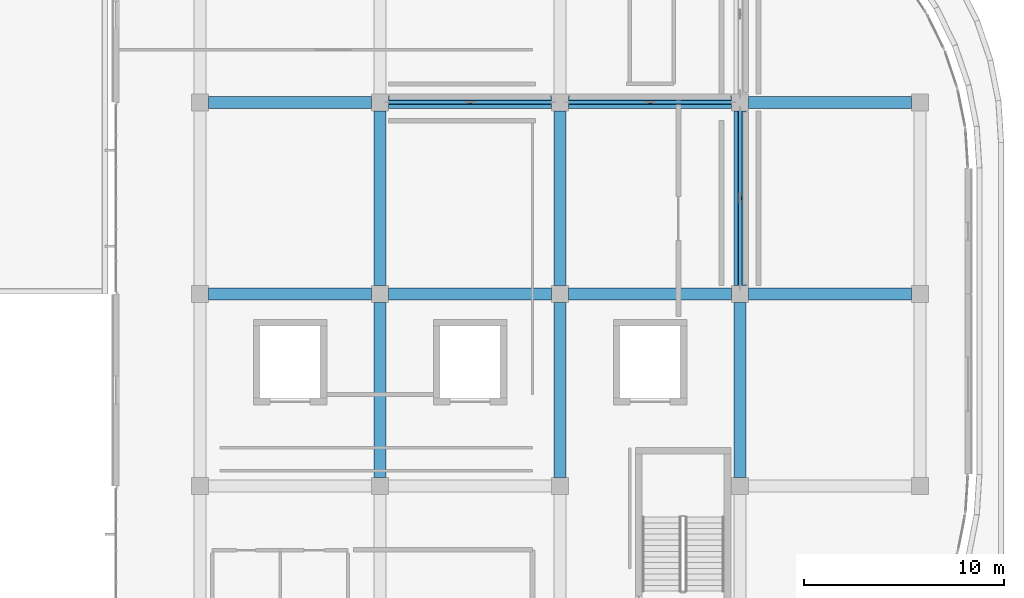
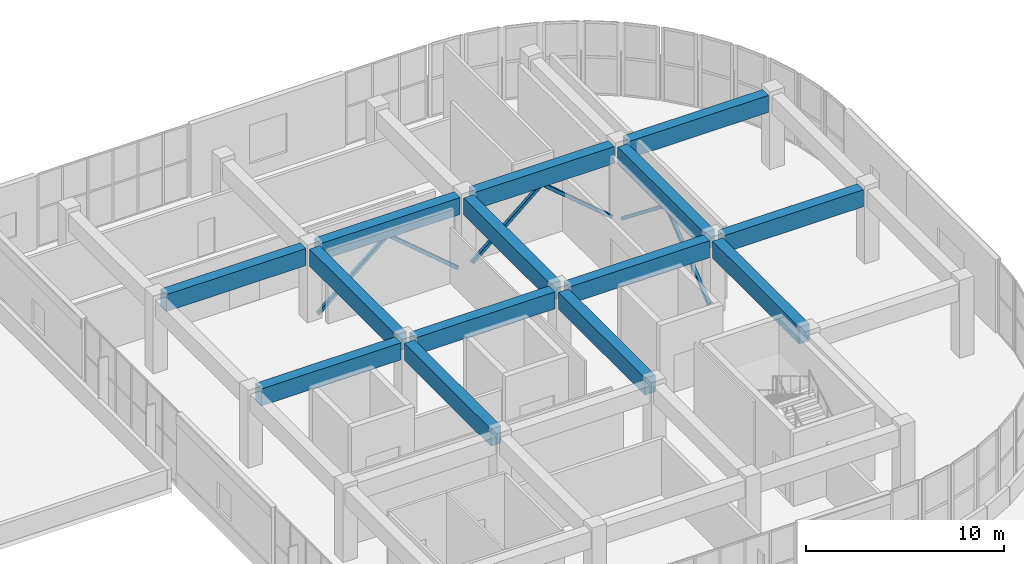
# One storey, part 22 of 67: 14 beams, 6 members.
"""IFC4 building model written with IfcOpenShell, lengths in metres."""

import ifcopenshell
import ifcopenshell.guid

model = None  # the IFC model being written
_history = None  # IfcOwnerHistory: only IFC2X3 demands one
_inside = {}  # id of a spatial element -> (the spatial element, [elements in it])
_under = {}  # id of a project, library or spatial element -> (it, [spatial elements below it])
_declared = {}  # id of a project -> (the project, [libraries it declares])
_typed = {}  # id of a type object -> (the type object, [elements of that type])
_made_of = {}  # id of a material, layer set ... -> (it, [elements and type objects made of it])


def new_model(schema):
    """Start an empty IFC model of exactly this schema.

    Asked for "IFC4X3", IfcOpenShell would pick the latest addendum, in which some entities
    have other attributes; the version numbers below select the first issue.
    IFC2X3 requires an IfcOwnerHistory on every rooted entity: one is made here for all.
    """
    global model, _history
    if schema == "IFC4X3":
        model = ifcopenshell.file(schema_version=(4, 3, 0, 0))
    else:
        model = ifcopenshell.file(schema=schema)
    _inside.clear()
    _under.clear()
    _declared.clear()
    _typed.clear()
    _made_of.clear()
    _history = None
    if model.schema == "IFC2X3":
        org = make("IfcOrganization", Name="unknown")
        user = make(
            "IfcPersonAndOrganization",
            ThePerson=make("IfcPerson", FamilyName="unknown"),
            TheOrganization=org,
        )
        app = make(
            "IfcApplication",
            ApplicationDeveloper=org,
            Version="unknown",
            ApplicationFullName="unknown",
            ApplicationIdentifier="unknown",
        )
        _history = make(
            "IfcOwnerHistory",
            OwningUser=user,
            OwningApplication=app,
            ChangeAction="ADDED",
            CreationDate=0,
        )
    return model


def make(cls, **values):
    """One entity of the class cls with the attributes given. An attribute that is None is left unset."""
    return model.create_entity(
        cls, **{name: value for name, value in values.items() if value is not None}
    )


def rooted(cls, **values):
    """An entity with a GlobalId (a new one), such as an element, a storey or a relation."""
    return make(cls, GlobalId=ifcopenshell.guid.new(), OwnerHistory=_history, **values)


def si_unit(unit_type, name, prefix=None):
    """IfcSIUnit, for example si_unit("LENGTHUNIT", "METRE", prefix="MILLI")."""
    return make("IfcSIUnit", UnitType=unit_type, Prefix=prefix, Name=name)


def assignment(units):
    """IfcUnitAssignment: the units of a project."""
    return None if units is None else make("IfcUnitAssignment", Units=units)


def point(xyz):
    """IfcCartesianPoint."""
    return None if xyz is None else make("IfcCartesianPoint", Coordinates=xyz)


def direction(xyz):
    """IfcDirection."""
    return None if xyz is None else make("IfcDirection", DirectionRatios=xyz)


def frame(location, z_axis=None, x_axis=None):
    """IfcAxis2Placement3D, a coordinate frame: its origin and axes. An axis left out is left unset."""
    return make(
        "IfcAxis2Placement3D",
        Location=point(location),
        Axis=direction(z_axis),
        RefDirection=direction(x_axis),
    )


def frame_2d(location, x_axis=None):
    """IfcAxis2Placement2D, a coordinate frame in the plane: its origin and x axis."""
    return make(
        "IfcAxis2Placement2D", Location=point(location), RefDirection=direction(x_axis)
    )


def origin():
    """The frame at (0, 0, 0) with its axes left unset."""
    return frame((0.0, 0.0, 0.0))


def origin_2d():
    """The frame at (0, 0) in the plane with its x axis left unset."""
    return frame_2d((0.0, 0.0))


def place(relative_to, where):
    """IfcLocalPlacement: puts the frame where relative to a parent placement (None: the world)."""
    return make(
        "IfcLocalPlacement", PlacementRelTo=relative_to, RelativePlacement=where
    )


def context(
    kind, dimensions, precision=None, world=None, true_north=None, identifier=None
):
    """IfcGeometricRepresentationContext, for example the 3D "Model" context."""
    return make(
        "IfcGeometricRepresentationContext",
        ContextIdentifier=identifier,
        ContextType=kind,
        CoordinateSpaceDimension=dimensions,
        Precision=precision,
        WorldCoordinateSystem=world,
        TrueNorth=true_north,
    )


def subcontext(parent, identifier, kind, view, scale=None):
    """IfcGeometricRepresentationSubContext, for example "Body" below "Model"."""
    return make(
        "IfcGeometricRepresentationSubContext",
        ContextIdentifier=identifier,
        ContextType=kind,
        ParentContext=parent,
        TargetScale=scale,
        TargetView=view,
    )


def project(units=None, contexts=None):
    """IfcProject with its units and contexts."""
    return rooted(
        "IfcProject",
        Name="project",
        RepresentationContexts=contexts,
        UnitsInContext=assignment(units),
    )


def spatial(cls, under=None, at=None, **own):
    """A site, building, storey or space (cls), placed at a placement, below another one or the project."""
    s = rooted(cls, ObjectPlacement=at, **own)
    if under is not None:
        _under.setdefault(under.id(), (under, []))[1].append(s)
    return s


def profile(cls, at=None, kind="AREA", **sizes):
    """A parametric profile (cls). Its sizes go by their IFC names, for example OverallWidth=200.0."""
    return make(cls, ProfileType=kind, Position=at, **sizes)


def rectangle(**sizes):
    """IfcRectangleProfileDef."""
    return profile("IfcRectangleProfileDef", **sizes)


def hollow_rectangle(**sizes):
    """IfcRectangleHollowProfileDef."""
    return profile("IfcRectangleHollowProfileDef", **sizes)


def extrude(swept, where, along, depth):
    """IfcExtrudedAreaSolid: the profile swept, set in the frame where, extruded along a direction by depth."""
    return make(
        "IfcExtrudedAreaSolid",
        SweptArea=swept,
        Position=where,
        ExtrudedDirection=direction(along),
        Depth=depth,
    )


def shape(context_of_items, identifier, shape_type, items):
    """IfcShapeRepresentation: the items that make up one representation, for example the "Body"."""
    return make(
        "IfcShapeRepresentation",
        ContextOfItems=context_of_items,
        RepresentationIdentifier=identifier,
        RepresentationType=shape_type,
        Items=items,
    )


def material(Name=None, Category=None):
    """IfcMaterial."""
    return make("IfcMaterial", Name=Name, Category=Category)


def material_profile(
    of_material, cross_section, Name=None, Category=None, Priority=None
):
    """IfcMaterialProfile: a cross section and its material."""
    return make(
        "IfcMaterialProfile",
        Name=Name,
        Material=of_material,
        Profile=cross_section,
        Priority=Priority,
        Category=Category,
    )


def profile_set(profiles, Name=None, composite=None):
    """IfcMaterialProfileSet."""
    return make(
        "IfcMaterialProfileSet",
        Name=Name,
        MaterialProfiles=profiles,
        CompositeProfile=composite,
    )


def made_of(thing, what):
    """Note that an element or type object is made of a material, layer set ...; save() writes the relation."""
    if what is not None:
        _made_of.setdefault(what.id(), (what, []))[1].append(thing)
    return thing


def type_object(cls, material=None, **own):
    """A type object (cls), such as IfcWallType, which elements share."""
    return made_of(rooted(cls, **own), material)


def element(
    cls,
    number,
    at=None,
    inside=None,
    cuts=None,
    type_object=None,
    material=None,
    context=None,
    identifier="Body",
    shape_type=None,
    held_by="IfcProductDefinitionShape",
    body=None,
    shapes=None,
    **own,
):
    """One element of the class cls, such as IfcWall. Its Tag is "e" and its number.

    at: its placement. inside: the storey or other place that contains it. cuts: it is an
    opening in that element (IfcRelVoidsElement). A single representation is given by context,
    identifier, shape_type and body (its items); several are given by shapes. held_by: the class
    of the entity that holds the representations. save() writes the other relations.
    """
    e = rooted(cls, Tag="e%d" % number, ObjectPlacement=at, **own)
    if body is not None:
        shapes = [shape(context, identifier, shape_type, body)]
    if shapes is not None:
        e.Representation = make(held_by, Representations=shapes)
    if inside is not None:
        _inside.setdefault(inside.id(), (inside, []))[1].append(e)
    if cuts is not None:
        rooted(
            "IfcRelVoidsElement", RelatingBuildingElement=cuts, RelatedOpeningElement=e
        )
    if type_object is not None:
        _typed.setdefault(type_object.id(), (type_object, []))[1].append(e)
    return made_of(e, material)


def aggregate(whole, parts):
    """IfcRelAggregates: a whole, such as a stair, and the parts it consists of."""
    return rooted("IfcRelAggregates", RelatingObject=whole, RelatedObjects=parts)


def save(model, path):
    """Write the relations noted so far, then the file.

    IfcRelAggregates (storeys below a building ...), IfcRelContainedInSpatialStructure (elements
    in a storey), IfcRelDefinesByType, IfcRelAssociatesMaterial and IfcRelDeclares: one each for
    every whole, place, type object, material and project.
    """
    for whole, parts in _under.values():
        aggregate(whole, parts)
    for where, things in _inside.values():
        rooted(
            "IfcRelContainedInSpatialStructure",
            RelatedElements=things,
            RelatingStructure=where,
        )
    for kind, things in _typed.values():
        rooted("IfcRelDefinesByType", RelatedObjects=things, RelatingType=kind)
    for what, things in _made_of.values():
        rooted("IfcRelAssociatesMaterial", RelatedObjects=things, RelatingMaterial=what)
    for by, libraries in _declared.values():
        rooted("IfcRelDeclares", RelatingContext=by, RelatedDefinitions=libraries)
    model.write(path)


model = new_model("IFC4")

# Units and contexts
model_context = context("Model", 3, precision=1e-05, world=origin(), true_north=direction((0.0, 1.0)))
body_context = subcontext(model_context, "Body", "Model", "MODEL_VIEW")
ifc_project = project(units=[si_unit("LENGTHUNIT", "METRE"), si_unit("AREAUNIT", "SQUARE_METRE"), si_unit("VOLUMEUNIT", "CUBIC_METRE"), si_unit("PLANEANGLEUNIT", "RADIAN"), si_unit("MASSUNIT", "GRAM", prefix="KILO")], contexts=[model_context])

# Site, building, storey
site_placement = place(None, origin())
site = spatial("IfcSite", under=ifc_project, at=site_placement, CompositionType="ELEMENT")
building_placement = place(site_placement, origin())
building = spatial("IfcBuilding", under=site, at=building_placement, Name="Cendralis Terraced Arcade", CompositionType="ELEMENT")
storey_placement = place(building_placement, frame((0.0, 0.0, 15.0)))
storey = spatial("IfcBuildingStorey", under=building, at=storey_placement, Name="L03", CompositionType="ELEMENT", Elevation=15.0)

# Beams
ifc_material_1 = material(Name="Concrete f'c 35 MPa", Category="concrete")
ifc_material_profile_1 = material_profile(ifc_material_1, rectangle(XDim=0.60009765625, YDim=1.050048828125, at=origin_2d()), Name="RC-BM-600x1050", Category="LoadBearing")
ifc_profile_set_1 = profile_set([ifc_material_profile_1], Name="Concrete f'c 35 MPa")
beam_type = type_object("IfcBeamType", Name="BM-600x1050", PredefinedType="JOIST", material=ifc_profile_set_1)
for number, where, z_axis, x_axis, name in (
    (1, (130.625, 88.800048828125, 3.9951171875), (1.0, 0.0, 0.0), (0.0, 1.0, 0.0), "Reinforced Concrete Frame Beam BM-X-L04-K-15_16"),
    (2, (139.625, 88.800048828125, 3.9951171875), (1.0, 0.0, 0.0), (0.0, 1.0, 0.0), "Reinforced Concrete Frame Beam BM-X-L04-K-16_17"),
    (3, (148.625, 88.800048828125, 3.9951171875), (1.0, 0.0, 0.0), (0.0, 1.0, 0.0), "Reinforced Concrete Frame Beam BM-X-L04-K-17_18"),
    (4, (157.625, 88.800048828125, 3.9951171875), (1.0, 0.0, 0.0), (0.0, 1.0, 0.0), "Reinforced Concrete Frame Beam BM-X-L04-K-18_19"),
    (5, (130.625, 98.39990234375, 3.9951171875), (1.0, 0.0, 0.0), (0.0, 1.0, 0.0), "Reinforced Concrete Frame Beam BM-X-L04-L-15_16"),
    (6, (139.625, 98.39990234375, 3.9951171875), (1.0, 0.0, 0.0), (0.0, 1.0, 0.0), "Reinforced Concrete Frame Beam BM-X-L04-L-16_17"),
    (7, (148.625, 98.39990234375, 3.9951171875), (1.0, 0.0, 0.0), (0.0, 1.0, 0.0), "Reinforced Concrete Frame Beam BM-X-L04-L-17_18"),
    (8, (157.625, 98.39990234375, 3.9951171875), (1.0, 0.0, 0.0), (0.0, 1.0, 0.0), "Reinforced Concrete Frame Beam BM-X-L04-L-18_19"),
):
    element("IfcBeam", number, at=place(storey_placement, frame(where, z_axis=z_axis, x_axis=x_axis)), inside=storey, type_object=beam_type, Name=name, PredefinedType="JOIST", context=body_context, shape_type="SweptSolid", body=[
        extrude(rectangle(XDim=0.60009765625, YDim=1.050048828125, at=origin_2d()), origin(), (0.0, 0.0, 1.0), 8.14990234375),
    ])
for number, where, z_axis, x_axis, name in (
    (9, (139.199951171875, 79.625, 3.9951171875), (0.0, 1.0, 0.0), (-1.0, 0.0, 0.0), "Reinforced Concrete Frame Beam BM-Y-L04-16-J_K"),
    (10, (139.199951171875, 89.22509765625, 3.9951171875), (0.0, 1.0, 0.0), (-1.0, 0.0, 0.0), "Reinforced Concrete Frame Beam BM-Y-L04-16-K_L"),
    (11, (148.199951171875, 79.625, 3.9951171875), (0.0, 1.0, 0.0), (-1.0, 0.0, 0.0), "Reinforced Concrete Frame Beam BM-Y-L04-17-J_K"),
    (12, (148.199951171875, 89.22509765625, 3.9951171875), (0.0, 1.0, 0.0), (-1.0, 0.0, 0.0), "Reinforced Concrete Frame Beam BM-Y-L04-17-K_L"),
    (13, (157.199951171875, 79.625, 3.9951171875), (0.0, 1.0, 0.0), (-1.0, 0.0, 0.0), "Reinforced Concrete Frame Beam BM-Y-L04-18-J_K"),
    (14, (157.199951171875, 89.22509765625, 3.9951171875), (0.0, 1.0, 0.0), (-1.0, 0.0, 0.0), "Reinforced Concrete Frame Beam BM-Y-L04-18-K_L"),
):
    element("IfcBeam", number, at=place(storey_placement, frame(where, z_axis=z_axis, x_axis=x_axis)), inside=storey, type_object=beam_type, Name=name, PredefinedType="JOIST", context=body_context, shape_type="SweptSolid", body=[
        extrude(rectangle(XDim=0.60009765625, YDim=1.050048828125, at=origin_2d()), origin(), (0.0, 0.0, 1.0), 8.75),
    ])

# Members
ifc_material_2 = material(Name="Steel ASTM A572 Grade 50", Category="steel")
ifc_material_profile_2 = material_profile(ifc_material_2, hollow_rectangle(XDim=0.199951171875, YDim=0.199951171875, WallThickness=0.010009765625, InnerFilletRadius=0.010009765625, OuterFilletRadius=0.02001953125, at=origin_2d()), Name="HSS200X200X10", Category="LoadBearing")
ifc_profile_set_2 = profile_set([ifc_material_profile_2], Name="Steel ASTM A572 Grade 50")
member_type = type_object("IfcMemberType", Name="MEM-BRC-HSS200", PredefinedType="BRACE", material=ifc_profile_set_2)
for number, where, z_axis, x_axis, name in (
    (15, (139.625, 98.39990234375, 0.02001953125), (0.76320934519, 0.0, 0.646151294523), (0.0, 1.0, 0.0), "Chevron Steel Lateral Frame Brace BRC-L03-007"),
    (16, (147.77490234375, 98.39990234375, 0.02001953125), (-0.76320934519, 0.0, 0.646151294523), (0.0, -1.0, 0.0), "Chevron Steel Lateral Frame Brace BRC-L03-008"),
    (17, (148.625, 98.39990234375, 0.02001953125), (0.76320934519, 0.0, 0.646151294523), (0.0, 1.0, 0.0), "Chevron Steel Lateral Frame Brace BRC-L03-015"),
    (18, (156.77490234375, 98.39990234375, 0.02001953125), (-0.76320934519, 0.0, 0.646151294523), (0.0, -1.0, 0.0), "Chevron Steel Lateral Frame Brace BRC-L03-016"),
):
    element("IfcMember", number, at=place(storey_placement, frame(where, z_axis=z_axis, x_axis=x_axis)), inside=storey, type_object=member_type, Name=name, PredefinedType="BRACE", context=body_context, shape_type="SweptSolid", body=[
        extrude(hollow_rectangle(XDim=0.199951171875, YDim=0.199951171875, WallThickness=0.010009765625, InnerFilletRadius=0.010009765625, OuterFilletRadius=0.02001953125, at=origin_2d()), origin(), (0.0, 0.0, 1.0), 5.339111328125),
    ])
for number, where, z_axis, x_axis, name in (
    (19, (157.199951171875, 89.22509765625, 0.02001953125), (0.0, 0.785231471079, 0.619202339164), (-1.0, 0.0, 0.0), "Chevron Steel Lateral Frame Brace BRC-L03-023"),
    (20, (157.199951171875, 97.97509765625, 0.02001953125), (0.0, -0.785231471079, 0.619202339164), (1.0, 0.0, 0.0), "Chevron Steel Lateral Frame Brace BRC-L03-024"),
):
    element("IfcMember", number, at=place(storey_placement, frame(where, z_axis=z_axis, x_axis=x_axis)), inside=storey, type_object=member_type, Name=name, PredefinedType="BRACE", context=body_context, shape_type="SweptSolid", body=[
        extrude(hollow_rectangle(XDim=0.199951171875, YDim=0.199951171875, WallThickness=0.010009765625, InnerFilletRadius=0.010009765625, OuterFilletRadius=0.02001953125, at=origin_2d()), origin(), (0.0, 0.0, 1.0), 5.571533203125),
    ])

save(model, "model.ifc")
